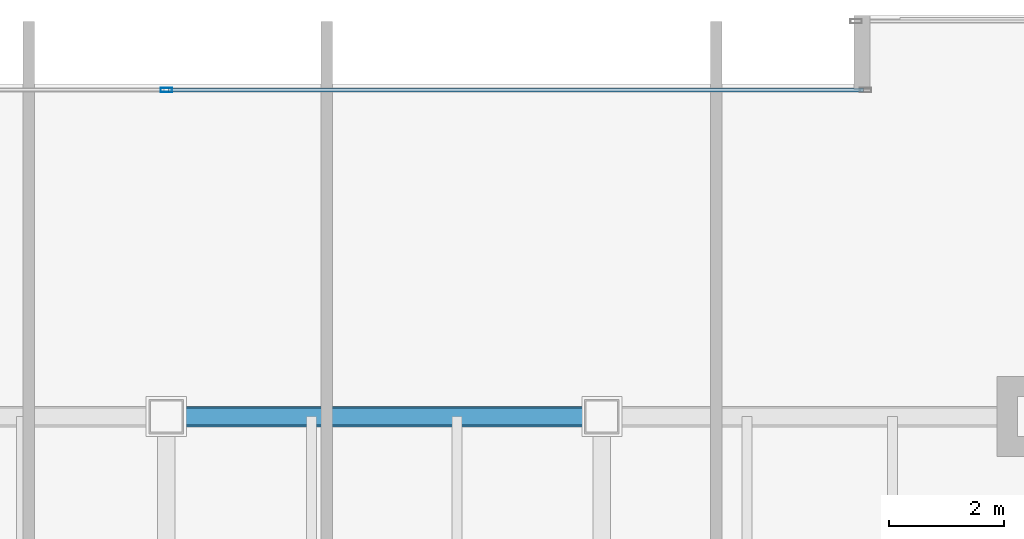
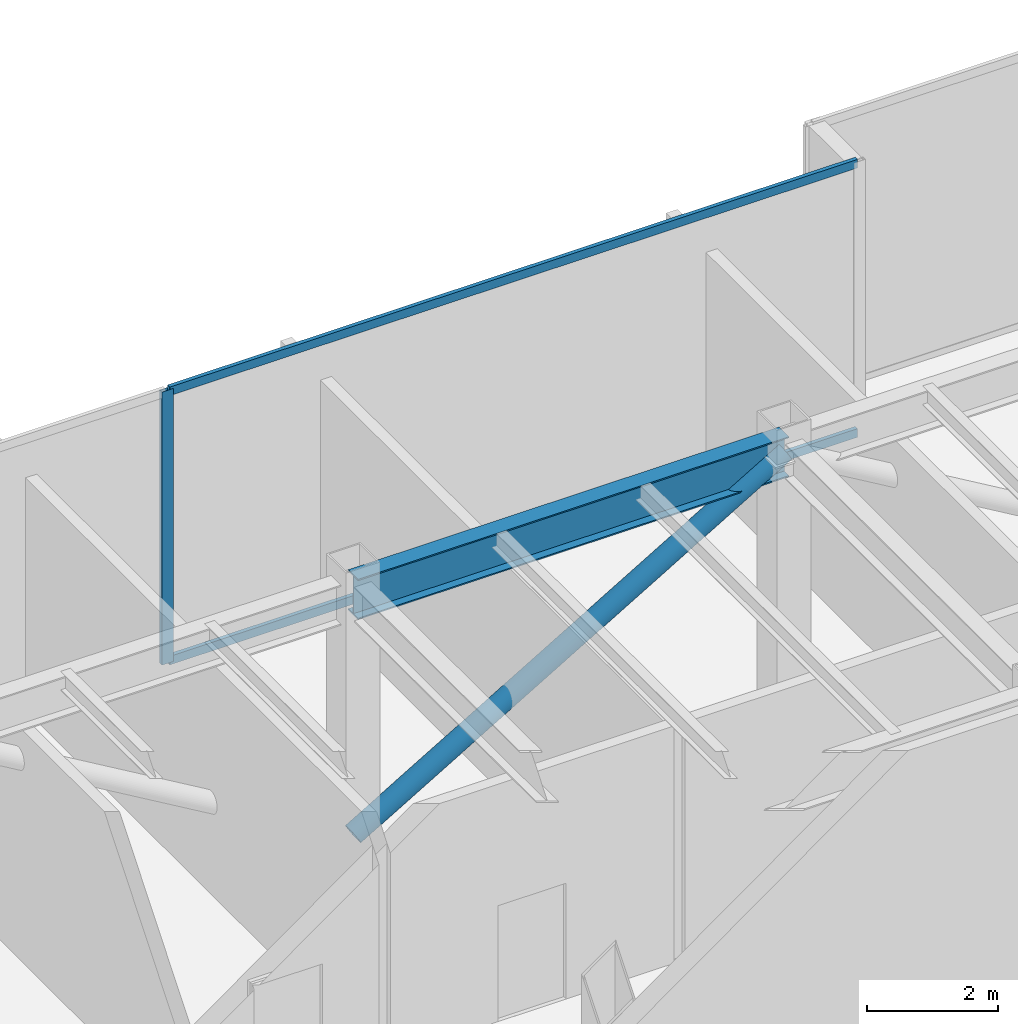
# One storey, part 18 of 38: 4 members, 1 beam, 1 element without a shape of its own.
"""IFC4 building model written with IfcOpenShell, lengths in metres."""

from ifc_helpers import new_model, si_unit, direction, frame, origin, origin_2d, place, context, subcontext, project, spatial, hollow_rectangle, hollow_circle, i_section, extrude, source, transform, mapped, material, layer, layer_set, material_profile, profile_set, type_object, type_shapes, element, aggregate, save


model = new_model("IFC4")

# Units and contexts
model_context = context("Model", 3, precision=1e-05, world=origin(), true_north=direction((0.0, 1.0)))
body_context = subcontext(model_context, "Body", "Model", "MODEL_VIEW")
ifc_project = project(units=[si_unit("LENGTHUNIT", "METRE"), si_unit("AREAUNIT", "SQUARE_METRE"), si_unit("VOLUMEUNIT", "CUBIC_METRE"), si_unit("PLANEANGLEUNIT", "RADIAN"), si_unit("MASSUNIT", "GRAM", prefix="KILO")], contexts=[model_context])

# Site, building, storey
site_placement = place(None, origin())
site = spatial("IfcSite", under=ifc_project, at=site_placement, CompositionType="ELEMENT")
building_placement = place(site_placement, origin())
building = spatial("IfcBuilding", under=site, at=building_placement, Name="Haelvirn Gate Laboratories", CompositionType="ELEMENT")
storey_placement = place(building_placement, frame((0.0, 0.0, 94.89990234375)))
storey = spatial("IfcBuildingStorey", under=building, at=storey_placement, Name="L23", CompositionType="ELEMENT", Elevation=94.89990234375)

# Beam
ifc_material_1 = material(Name="Steel SM355", Category="steel")
ifc_material_profile_1 = material_profile(ifc_material_1, i_section(OverallWidth=0.300048828125, OverallDepth=0.75, WebThickness=0.013916015625, FlangeThickness=0.02392578125, at=origin_2d()), Name="H-750x300x14x24")
ifc_profile_set_1 = profile_set([ifc_material_profile_1], Name="Steel SM355")
beam_type = type_object("IfcBeamType", Name="BM-G-750", PredefinedType="BEAM", material=ifc_profile_set_1)
shared_shape_1 = source(origin(), body_context, "Body", "SweptSolid", [
    extrude(i_section(OverallWidth=0.300048828125, OverallDepth=0.75, WebThickness=0.013916015625, FlangeThickness=0.02392578125, at=origin_2d()), origin(), (0.0, 0.0, 1.0), 7.60009765625),
])
type_shapes(beam_type, [shared_shape_1])
beam_placement = place(storey_placement, frame((37.39990234375, 41.60009765625, 4.715087890625), z_axis=(1.0, 0.0, 0.0), x_axis=(0.0, 1.0, 0.0)))
element("IfcBeam", 1, at=beam_placement, inside=storey, type_object=beam_type, Name="L23 Primary Girder Y41.6 (37.4-45.0)", PredefinedType="BEAM", context=body_context, shape_type="MappedRepresentation", body=[
    mapped(shared_shape_1, transform((0.0, 0.0, 0.0), scale=1.0)),
])

# Member
ifc_material_profile_2 = material_profile(ifc_material_1, hollow_circle(Radius=0.177734375, WallThickness=0.013916015625, at=origin_2d()), Name="CHS-355x14")
ifc_profile_set_2 = profile_set([ifc_material_profile_2], Name="Steel SM355")
member_type_1 = type_object("IfcMemberType", Name="MEM-BELT-1", PredefinedType="STRUT", material=ifc_profile_set_2)
shared_shape_2 = source(origin(), body_context, "Body", "SweptSolid", [
    extrude(hollow_circle(Radius=0.177734375, WallThickness=0.013916015625, at=origin_2d()), origin(), (0.0, 0.0, 1.0), 8.827392578125),
])
type_shapes(member_type_1, [shared_shape_2])
member_1_placement = place(storey_placement, frame((37.39990234375, 41.60009765625, 0.25), z_axis=(0.860974977709, 0.0, 0.508647311759), x_axis=(0.0, 1.0, 0.0)))
element("IfcMember", 2, at=member_1_placement, inside=storey, type_object=member_type_1, Name="L23 Perimeter Belt Truss N5", PredefinedType="STRUT", context=body_context, shape_type="MappedRepresentation", body=[
    mapped(shared_shape_2, transform((0.0, 0.0, 0.0), scale=1.0)),
])

# Curtain wall, members
ifc_material_2 = material(Name="Anodised bronze unitised aluminium & triple low-E glass", Category="aluminium")
ifc_layer = layer(ifc_material_2, 0.18408203125, Name="CW-SYS-2")
ifc_layer_set = layer_set([ifc_layer], Name="Anodised bronze unitised aluminium & triple low-E glass")
curtain_wall_type = type_object("IfcCurtainWallType", Name="CW-SYS-2", PredefinedType="NOTDEFINED", material=ifc_layer_set)
curtain_wall_placement = place(storey_placement, origin())
curtain_wall = element("IfcCurtainWall", 3, at=curtain_wall_placement, inside=storey, type_object=curtain_wall_type, Name="L23 Unitised Curtain Wall CW-L23-P0-E12-1", PredefinedType="NOTDEFINED")
ifc_material_3 = material(Name="Extruded aluminium 6063-T6 (anodised bronze)", Category="aluminium")
ifc_material_profile_3 = material_profile(ifc_material_3, hollow_rectangle(XDim=0.070068359375, YDim=0.159912109375, WallThickness=0.0048828125, at=origin_2d()), Name="CWT-160x70x5")
ifc_profile_set_3 = profile_set([ifc_material_profile_3], Name="Extruded aluminium 6063-T6 (anodised bronze)")
member_type_2 = type_object("IfcMemberType", Name="CWT-T160", PredefinedType="USERDEFINED", material=ifc_profile_set_3)
shared_shape_3 = source(origin(), body_context, "Body", "SweptSolid", [
    extrude(hollow_rectangle(XDim=0.070068359375, YDim=0.159912109375, WallThickness=0.0048828125, at=origin_2d()), origin(), (0.0, 0.0, 1.0), 12.12744140625),
])
type_shapes(member_type_2, [shared_shape_3])
member_2_placement = place(storey_placement, frame((37.4375, 47.300048828125, 0.03515625), z_axis=(1.0, 0.0, 0.0), x_axis=(0.0, 1.0, 0.0)))
member_2 = element("IfcMember", 4, at=member_2_placement, type_object=member_type_2, Name="CW2 transom 2.1", ObjectType="TRANSOM", PredefinedType="USERDEFINED", context=body_context, shape_type="MappedRepresentation", body=[
    mapped(shared_shape_3, transform((0.0, 0.0, 0.0), scale=1.0)),
])
member_3_placement = place(storey_placement, frame((37.4375, 47.300048828125, 5.05517578125), z_axis=(1.0, 0.0, 0.0), x_axis=(0.0, 1.0, 0.0)))
member_3 = element("IfcMember", 5, at=member_3_placement, type_object=member_type_2, Name="CW2 transom 2.2", ObjectType="TRANSOM", PredefinedType="USERDEFINED", context=body_context, shape_type="MappedRepresentation", body=[
    mapped(shared_shape_3, transform((0.0, 0.0, 0.0), scale=1.0)),
])
ifc_material_profile_4 = material_profile(ifc_material_3, hollow_rectangle(XDim=0.074951171875, YDim=0.199951171875, WallThickness=0.0048828125, at=origin_2d()), Name="CWM-200x75x5")
ifc_profile_set_4 = profile_set([ifc_material_profile_4], Name="Extruded aluminium 6063-T6 (anodised bronze)")
member_type_3 = type_object("IfcMemberType", Name="CWM-T200", PredefinedType="MULLION", material=ifc_profile_set_4)
shared_shape_4 = source(origin(), body_context, "Body", "SweptSolid", [
    extrude(hollow_rectangle(XDim=0.074951171875, YDim=0.199951171875, WallThickness=0.0048828125, at=origin_2d()), origin(), (0.0, 0.0, 1.0), 5.090087890625),
])
type_shapes(member_type_3, [shared_shape_4])
member_4_placement = place(storey_placement, frame((37.39990234375, 47.300048828125, 0.0), z_axis=(0.0, 0.0, 1.0), x_axis=(0.0, 1.0, 0.0)))
member_4 = element("IfcMember", 6, at=member_4_placement, type_object=member_type_3, Name="CW2 mullion 2", PredefinedType="MULLION", context=body_context, shape_type="MappedRepresentation", body=[
    mapped(shared_shape_4, transform((0.0, 0.0, 0.0), scale=1.0)),
])
aggregate(curtain_wall, [member_4, member_2, member_3])

save(model, "model.ifc")
